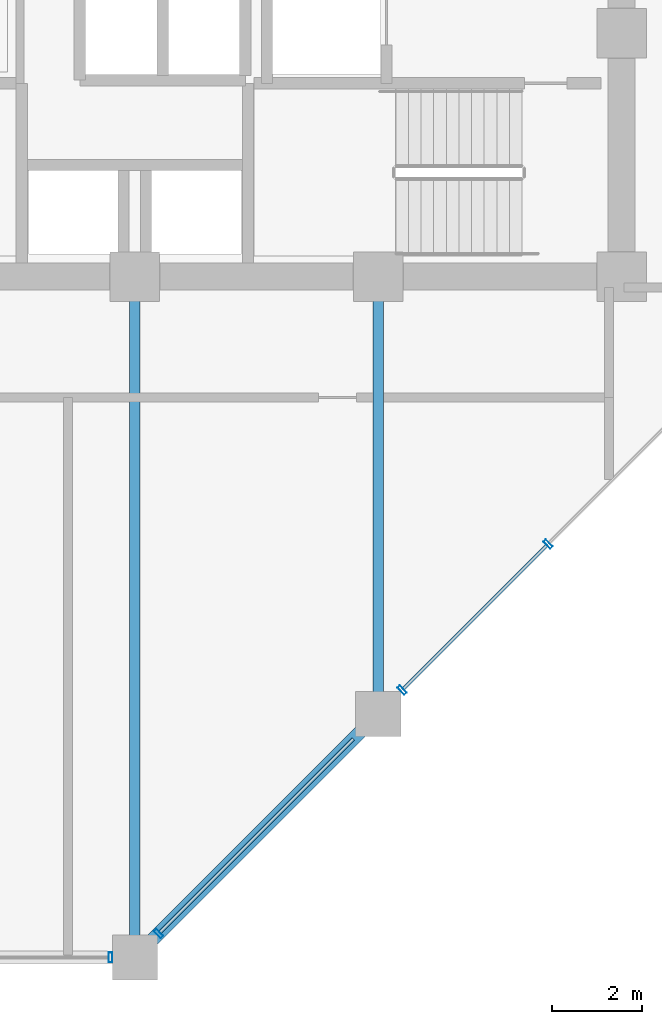
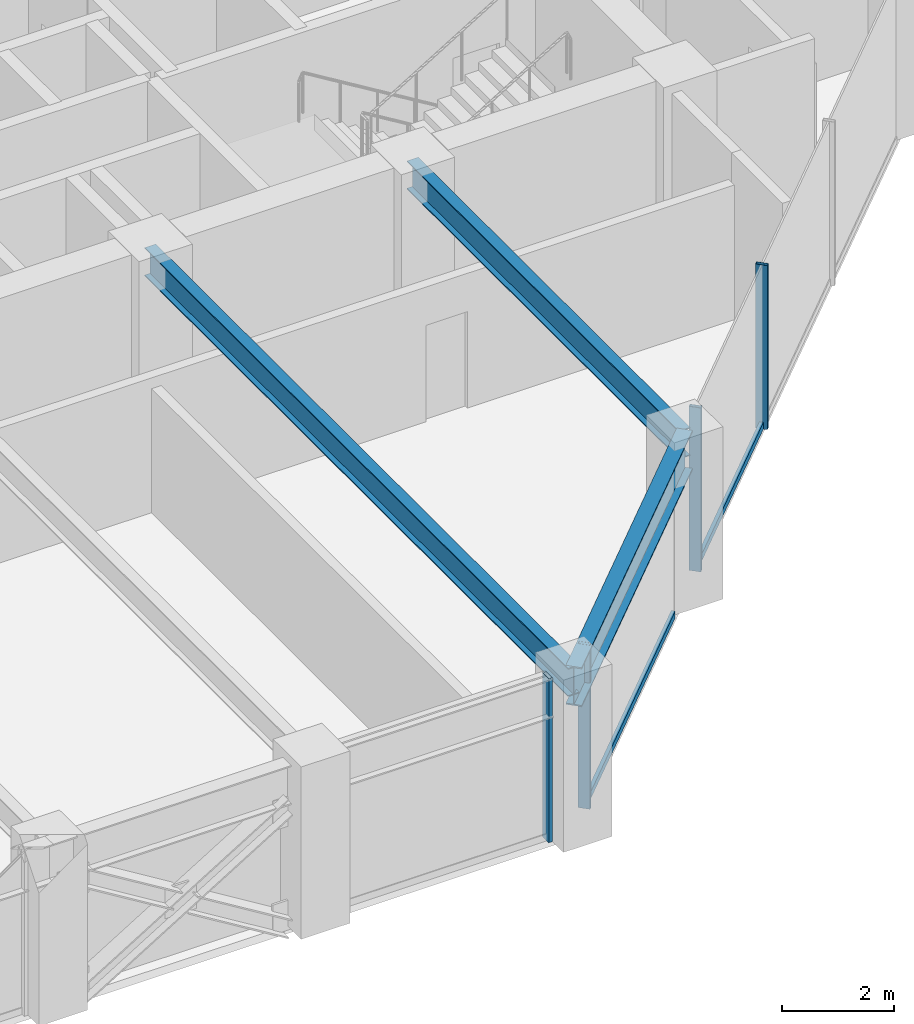
# One storey, part 7 of 29: 6 members, 3 beams, 2 elements without a shape of their own.
"""IFC4 building model written with IfcOpenShell, lengths in metres."""

from ifc_helpers import new_model, si_unit, direction, frame, origin, origin_2d, place, context, subcontext, project, spatial, hollow_rectangle, i_section, extrude, material, layer, layer_set, material_profile, profile_set, type_object, element, aggregate, save


model = new_model("IFC4")

# Units and contexts
model_context = context("Model", 3, precision=1e-05, world=origin(), true_north=direction((0.0, 1.0)))
body_context = subcontext(model_context, "Body", "Model", "MODEL_VIEW")
ifc_project = project(units=[si_unit("LENGTHUNIT", "METRE"), si_unit("AREAUNIT", "SQUARE_METRE"), si_unit("VOLUMEUNIT", "CUBIC_METRE"), si_unit("PLANEANGLEUNIT", "RADIAN"), si_unit("MASSUNIT", "GRAM", prefix="KILO")], contexts=[model_context])

# Site, building, storey
site_placement = place(None, origin())
site = spatial("IfcSite", under=ifc_project, at=site_placement, CompositionType="ELEMENT")
building_placement = place(site_placement, origin())
building = spatial("IfcBuilding", under=site, at=building_placement, Name="Surkhivell Harbour Commons", CompositionType="ELEMENT")
storey_placement = place(building_placement, frame((0.0, 0.0, 154.5)))
storey = spatial("IfcBuildingStorey", under=building, at=storey_placement, Name="L40", CompositionType="ELEMENT", Elevation=154.5)

# Beams
ifc_material_1 = material(Name="Steel S355", Category="steel")
ifc_material_profile_1 = material_profile(ifc_material_1, i_section(OverallWidth=0.22998046875, OverallDepth=0.616943359375, WebThickness=0.01318359375, FlangeThickness=0.022216796875, at=origin_2d()), Name="UB610x229x140")
ifc_profile_set_1 = profile_set([ifc_material_profile_1], Name="Steel S355")
beam_type_1 = type_object("IfcBeamType", Name="BM-GRD-610B", PredefinedType="BEAM", material=ifc_profile_set_1)
beam_1_placement = place(storey_placement, frame((0.0, -25.89990234375, 3.261474609375), z_axis=(0.0, 1.0, 0.0), x_axis=(-1.0, 0.0, 0.0)))
element("IfcBeam", 1, at=beam_1_placement, inside=storey, type_object=beam_type_1, Name="L40 Floor Girder (0.0,-25.9)", PredefinedType="BEAM", context=body_context, shape_type="SweptSolid", body=[
    extrude(i_section(OverallWidth=0.22998046875, OverallDepth=0.616943359375, WebThickness=0.01318359375, FlangeThickness=0.022216796875, at=origin_2d()), origin(), (0.0, 0.0, 1.0), 15.099853515625),
])
beam_2_placement = place(storey_placement, frame((5.39990234375, -20.5, 3.261474609375), z_axis=(0.0, 1.0, 0.0), x_axis=(-1.0, 0.0, 0.0)))
element("IfcBeam", 2, at=beam_2_placement, inside=storey, type_object=beam_type_1, Name="L40 Floor Girder (5.4,-20.5)", PredefinedType="BEAM", context=body_context, shape_type="SweptSolid", body=[
    extrude(i_section(OverallWidth=0.22998046875, OverallDepth=0.616943359375, WebThickness=0.01318359375, FlangeThickness=0.022216796875, at=origin_2d()), origin(), (0.0, 0.0, 1.0), 9.699951171875),
])
ifc_material_2 = material(Name="Steel S460", Category="steel")
ifc_material_profile_2 = material_profile(ifc_material_2, i_section(OverallWidth=0.2939453125, OverallDepth=0.85107421875, WebThickness=0.01611328125, FlangeThickness=0.02685546875, at=origin_2d()), Name="UB838x292x226")
ifc_profile_set_2 = profile_set([ifc_material_profile_2], Name="Steel S460")
beam_type_2 = type_object("IfcBeamType", Name="BM-SPN-838", PredefinedType="SPANDREL", material=ifc_profile_set_2)
beam_3_placement = place(storey_placement, frame((0.0, -25.89990234375, 3.14453125), z_axis=(0.707106781187, 0.707106781187, 0.0), x_axis=(-0.707106781187, 0.707106781187, 0.0)))
element("IfcBeam", 3, at=beam_3_placement, inside=storey, type_object=beam_type_2, Name="L40 Tube Spandrel (-0.0,-25.9)", PredefinedType="SPANDREL", context=body_context, shape_type="SweptSolid", body=[
    extrude(i_section(OverallWidth=0.2939453125, OverallDepth=0.85107421875, WebThickness=0.01611328125, FlangeThickness=0.02685546875, at=origin_2d()), origin(), (0.0, 0.0, 1.0), 7.63671875),
])

# Curtain wall, member
ifc_material_3 = material(Name="Anodised pale-metal aluminium and insulated glazing", Category="aluminium")
ifc_layer = layer(ifc_material_3, 0.205078125)
ifc_layer_set = layer_set([ifc_layer], Name="Anodised pale-metal aluminium and insulated glazing")
curtain_wall_type = type_object("IfcCurtainWallType", Name="CW-SYS-Z2", PredefinedType="NOTDEFINED", material=ifc_layer_set)
curtain_wall_1_placement = place(storey_placement, origin())
curtain_wall_1 = element("IfcCurtainWall", 4, at=curtain_wall_1_placement, inside=storey, type_object=curtain_wall_type, Name="L40 Curtain Wall CW-L40-E00S2", PredefinedType="NOTDEFINED")
ifc_material_4 = material(Name="Anodised pale-metal aluminium alloy 6063-T6", Category="aluminium")
ifc_material_profile_3 = material_profile(ifc_material_4, hollow_rectangle(XDim=0.074951171875, YDim=0.219970703125, WallThickness=0.00390625, at=origin_2d()), Name="ALU-MULL-75x220")
ifc_profile_set_3 = profile_set([ifc_material_profile_3], Name="Anodised pale-metal aluminium alloy 6063-T6")
member_type_1 = type_object("IfcMemberType", Name="CWM-220", PredefinedType="MULLION", material=ifc_profile_set_3)
member_1_placement = place(storey_placement, frame((-0.53955078125, -25.89990234375, 0.0), z_axis=(0.0, 0.0, 1.0), x_axis=(1.0, 0.0, 0.0)))
member_1 = element("IfcMember", 5, at=member_1_placement, type_object=member_type_1, Name="CW-Z2 mullion 2", PredefinedType="MULLION", context=body_context, shape_type="SweptSolid", body=[
    extrude(hollow_rectangle(XDim=0.074951171875, YDim=0.219970703125, WallThickness=0.00390625, at=origin_2d()), origin(), (0.0, 0.0, 1.0), 3.570068359375),
])
aggregate(curtain_wall_1, [member_1])

# Curtain wall, members
curtain_wall_2_placement = place(storey_placement, origin())
curtain_wall_2 = element("IfcCurtainWall", 6, at=curtain_wall_2_placement, inside=storey, type_object=curtain_wall_type, Name="L40 Curtain Wall CW-L40-E01", PredefinedType="NOTDEFINED")
member_2_placement = place(storey_placement, frame((0.5283203125, -25.371826171875, 0.0), z_axis=(0.0, 0.0, 1.0), x_axis=(0.707106781187, 0.707106781187, 0.0)))
member_2 = element("IfcMember", 7, at=member_2_placement, type_object=member_type_1, Name="CW-Z2 mullion 1", PredefinedType="MULLION", context=body_context, shape_type="SweptSolid", body=[
    extrude(hollow_rectangle(XDim=0.074951171875, YDim=0.219970703125, WallThickness=0.00390625, at=origin_2d()), origin(), (0.0, 0.0, 1.0), 3.570068359375),
])
member_3_placement = place(storey_placement, frame((5.92822265625, -19.9716796875, 0.0), z_axis=(0.0, 0.0, 1.0), x_axis=(0.707106781187, 0.707106781187, 0.0)))
member_3 = element("IfcMember", 8, at=member_3_placement, type_object=member_type_1, Name="CW-Z2 mullion 2", PredefinedType="MULLION", context=body_context, shape_type="SweptSolid", body=[
    extrude(hollow_rectangle(XDim=0.074951171875, YDim=0.219970703125, WallThickness=0.00390625, at=origin_2d()), origin(), (0.0, 0.0, 1.0), 3.570068359375),
])
member_4_placement = place(storey_placement, frame((9.167236328125, -16.732666015625, 0.0), z_axis=(0.0, 0.0, 1.0), x_axis=(0.707106781187, 0.707106781187, 0.0)))
member_4 = element("IfcMember", 9, at=member_4_placement, type_object=member_type_1, Name="CW-Z2 mullion 3", PredefinedType="MULLION", context=body_context, shape_type="SweptSolid", body=[
    extrude(hollow_rectangle(XDim=0.074951171875, YDim=0.219970703125, WallThickness=0.00390625, at=origin_2d()), origin(), (0.0, 0.0, 1.0), 3.570068359375),
])
ifc_material_profile_4 = material_profile(ifc_material_4, hollow_rectangle(XDim=0.074951171875, YDim=0.14990234375, WallThickness=0.00341796875, at=origin_2d()), Name="ALU-TRAN-75x150")
ifc_profile_set_4 = profile_set([ifc_material_profile_4], Name="Anodised pale-metal aluminium alloy 6063-T6")
member_type_2 = type_object("IfcMemberType", Name="CWT-150", PredefinedType="USERDEFINED", material=ifc_profile_set_4)
member_5_placement = place(storey_placement, frame((0.5546875, -25.34521484375, 0.074951171875), z_axis=(0.707106781187, 0.707106781187, 0.0), x_axis=(-0.707106781187, 0.707106781187, 0.0)))
member_5 = element("IfcMember", 10, at=member_5_placement, type_object=member_type_2, Name="CW-Z2 transom 1.1", ObjectType="TRANSOM", PredefinedType="USERDEFINED", context=body_context, shape_type="SweptSolid", body=[
    extrude(hollow_rectangle(XDim=0.074951171875, YDim=0.14990234375, WallThickness=0.00341796875, at=origin_2d()), origin(), (0.0, 0.0, 1.0), 6.067626953125),
])
member_6_placement = place(storey_placement, frame((5.954833984375, -19.9453125, 0.074951171875), z_axis=(0.707079687416, 0.707133873919, 0.0), x_axis=(-0.707133873919, 0.707079687416, 0.0)))
member_6 = element("IfcMember", 11, at=member_6_placement, type_object=member_type_2, Name="CW-Z2 transom 2.1", ObjectType="TRANSOM", PredefinedType="USERDEFINED", context=body_context, shape_type="SweptSolid", body=[
    extrude(hollow_rectangle(XDim=0.074951171875, YDim=0.14990234375, WallThickness=0.00341796875, at=origin_2d()), origin(), (0.0, 0.0, 1.0), 4.505615234375),
])
aggregate(curtain_wall_2, [member_2, member_5, member_3, member_4, member_6])

save(model, "model.ifc")
